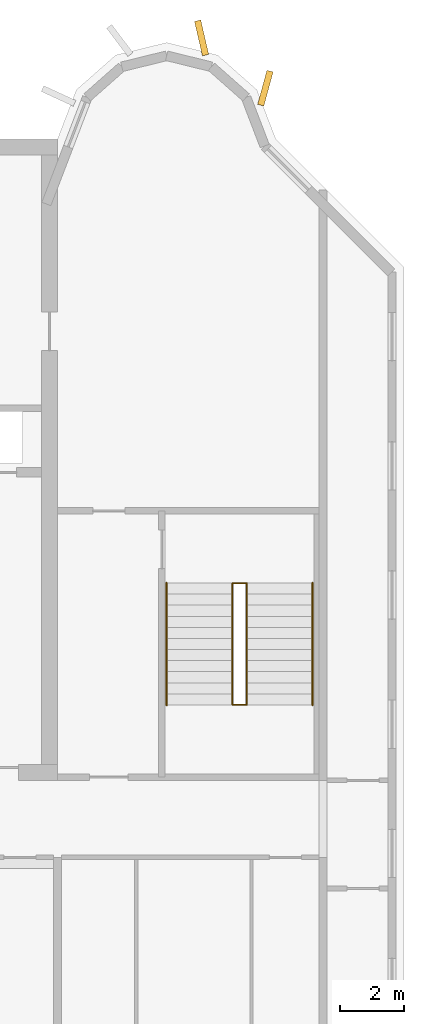
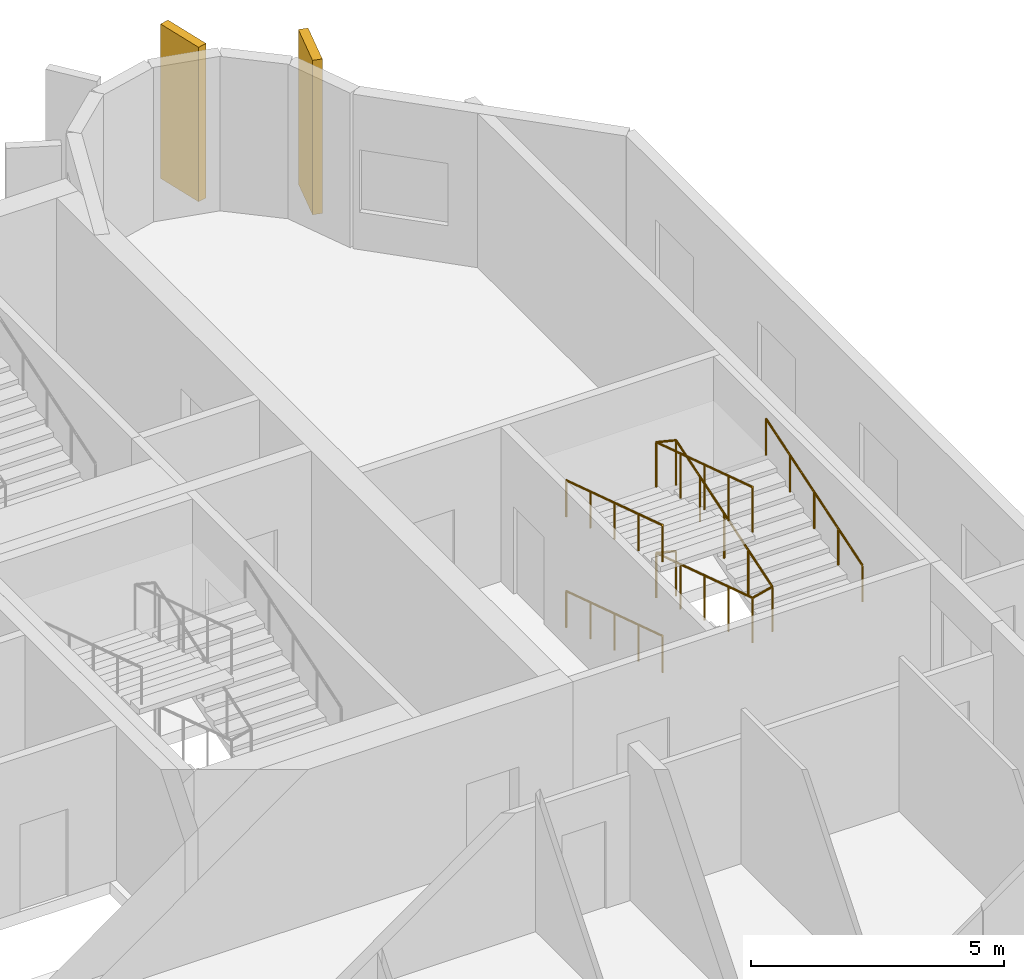
# One storey, part 11 of 12: 4 railings, 2 coverings.
"""IFC4 building model written with IfcOpenShell, lengths in metres."""

from ifc_helpers import new_model, si_unit, direction, frame, origin, origin_2d, place, context, subcontext, project, spatial, rectangle, circle, extrude, source, transform, mapped, material, material_profile, profile_set, type_object, element, save


model = new_model("IFC4")

# Units and contexts
model_context = context("Model", 3, precision=1e-05, world=origin(), true_north=direction((0.0, 1.0)))
body_context = subcontext(model_context, "Body", "Model", "MODEL_VIEW")
ifc_project = project(units=[si_unit("LENGTHUNIT", "METRE"), si_unit("AREAUNIT", "SQUARE_METRE"), si_unit("VOLUMEUNIT", "CUBIC_METRE"), si_unit("PLANEANGLEUNIT", "RADIAN"), si_unit("MASSUNIT", "GRAM", prefix="KILO")], contexts=[model_context])

# Site, building, storey
site_placement = place(None, origin())
site = spatial("IfcSite", under=ifc_project, at=site_placement, CompositionType="ELEMENT")
building_placement = place(site_placement, origin())
building = spatial("IfcBuilding", under=site, at=building_placement, Name="Vanashikhar Sky Hotel", CompositionType="ELEMENT")
storey_placement = place(building_placement, frame((0.0, 0.0, 293.699951171875)))
storey = spatial("IfcBuildingStorey", under=building, at=storey_placement, Name="L70", CompositionType="ELEMENT", Elevation=293.699951171875)

# Coverings
ifc_material_1 = material(Name="Concrete M60 dark", Category="concrete")
ifc_material_profile = material_profile(ifc_material_1, rectangle(XDim=1.10009765625, YDim=0.199951171875, at=origin_2d()))
ifc_profile_set = profile_set([ifc_material_profile], Name="Rear lobe fin 1100 x 200")
covering_type = type_object("IfcCoveringType", Name="Rear lobe fin 1100 x 200", PredefinedType="CLADDING", material=ifc_profile_set)
shared_shape_1 = source(origin(), body_context, "Body", "SweptSolid", [
    extrude(rectangle(XDim=1.10009765625, YDim=0.199951171875, at=origin_2d()), origin(), (0.0, 0.0, 1.0), 3.719970703125),
])
for number, where, z_axis, x_axis, name in (
    (1, (80.08984375, 45.1455078125, 0.0), (0.0, 0.0, 1.0), (-0.224644935864, 0.974440687159, 0.0), "Fin R2-3"),
    (2, (82.0791015625, 43.580078125, 0.0), (0.0, 0.0, 1.0), (0.262711264409, 0.964874495234, 0.0), "Fin R2-4"),
):
    element("IfcCovering", number, at=place(storey_placement, frame(where, z_axis=z_axis, x_axis=x_axis)), inside=storey, type_object=covering_type, Name=name, PredefinedType="CLADDING", context=body_context, shape_type="MappedRepresentation", body=[
        mapped(shared_shape_1, transform((0.0, 0.0, 0.0), scale=1.0)),
    ])

# Railings
ifc_material_2 = material(Name="Steel S355", Category="steel")
railing_type_1 = type_object("IfcRailingType", Name="Stair guard 1100", PredefinedType="GUARDRAIL", material=ifc_material_2)
shared_shape_2 = source(origin(), body_context, "Body", "SweptSolid", [
    extrude(circle(Radius=0.02392578125, at=origin_2d()), frame((0.0, 0.0, 1.076171875), z_axis=(-0.970851010584, 0.0, 0.239683781777), x_axis=(0.0, -1.0, 0.0)), (0.0, 0.0, 1.0), 0.46337890625),
    extrude(circle(Radius=0.02392578125, at=origin_2d()), frame((-0.449951171875, 0.0, 1.18701171875), z_axis=(0.0, -0.951952165375, 0.306246754821), x_axis=(1.0, 0.0, 0.0)), (0.0, 0.0, 1.0), 3.99169921875),
    extrude(circle(Radius=0.02392578125, at=origin_2d()), frame((-0.449951171875, -3.7998046875, 2.40966796875), z_axis=(0.970851010584, 0.0, 0.239683781777), x_axis=(0.0, 1.0, 0.0)), (0.0, 0.0, 1.0), 0.46337890625),
    extrude(circle(Radius=0.02392578125, at=origin_2d()), frame((0.0, -3.7998046875, 2.5205078125), z_axis=(0.0, 0.951969995293, 0.306191325908), x_axis=(-1.0, 0.0, 0.0)), (0.0, 0.0, 1.0), 3.991455078125),
    extrude(circle(Radius=0.02392578125, at=origin_2d()), frame((0.0, 0.0, 3.74267578125), z_axis=(-0.970851010584, 0.0, 0.239683781777), x_axis=(0.0, -1.0, 0.0)), (0.0, 0.0, 1.0), 0.46337890625),
    extrude(circle(Radius=0.02392578125, at=origin_2d()), frame((-0.449951171875, 0.0, 3.85400390625), z_axis=(0.0, -0.951969995293, 0.306191325908), x_axis=(1.0, 0.0, 0.0)), (0.0, 0.0, 1.0), 3.991455078125),
    extrude(circle(Radius=0.02099609375, at=origin_2d()), origin(), (0.0, 0.0, 1.0), 1.052001953125),
    extrude(circle(Radius=0.02099609375, at=origin_2d()), frame((-0.449951171875, 0.0, 0.111083984375)), (0.0, 0.0, 1.0), 1.052001953125),
    extrude(circle(Radius=0.02099609375, at=origin_2d()), frame((-0.449951171875, -0.949951171875, 0.416748046875)), (0.0, 0.0, 1.0), 1.052001953125),
    extrude(circle(Radius=0.02099609375, at=origin_2d()), frame((-0.449951171875, -1.89990234375, 0.72216796875)), (0.0, 0.0, 1.0), 1.052001953125),
    extrude(circle(Radius=0.02099609375, at=origin_2d()), frame((-0.449951171875, -2.849853515625, 1.02783203125)), (0.0, 0.0, 1.0), 1.052001953125),
    extrude(circle(Radius=0.02099609375, at=origin_2d()), frame((-0.449951171875, -3.7998046875, 1.33349609375)), (0.0, 0.0, 1.0), 1.052001953125),
    extrude(circle(Radius=0.02099609375, at=origin_2d()), frame((0.0, -3.7998046875, 1.444580078125)), (0.0, 0.0, 1.0), 1.052001953125),
    extrude(circle(Radius=0.02099609375, at=origin_2d()), frame((0.0, -2.849853515625, 1.75)), (0.0, 0.0, 1.0), 1.052001953125),
    extrude(circle(Radius=0.02099609375, at=origin_2d()), frame((0.0, -1.89990234375, 2.0556640625)), (0.0, 0.0, 1.0), 1.052001953125),
    extrude(circle(Radius=0.02099609375, at=origin_2d()), frame((0.0, -0.949951171875, 2.361328125)), (0.0, 0.0, 1.0), 1.052001953125),
    extrude(circle(Radius=0.02099609375, at=origin_2d()), frame((0.0, 0.0, 2.666748046875)), (0.0, 0.0, 1.0), 1.052001953125),
    extrude(circle(Radius=0.02099609375, at=origin_2d()), frame((-0.449951171875, 0.0, 2.77783203125)), (0.0, 0.0, 1.0), 1.052001953125),
    extrude(circle(Radius=0.02099609375, at=origin_2d()), frame((-0.449951171875, -0.949951171875, 3.08349609375)), (0.0, 0.0, 1.0), 1.052001953125),
    extrude(circle(Radius=0.02099609375, at=origin_2d()), frame((-0.449951171875, -1.89990234375, 3.388916015625)), (0.0, 0.0, 1.0), 1.052001953125),
    extrude(circle(Radius=0.02099609375, at=origin_2d()), frame((-0.449951171875, -2.849853515625, 3.6943359375)), (0.0, 0.0, 1.0), 1.052001953125),
    extrude(circle(Radius=0.02099609375, at=origin_2d()), frame((-0.449951171875, -3.7998046875, 4.0)), (0.0, 0.0, 1.0), 1.052001953125),
])
railing_1_placement = place(storey_placement, frame((81.5, 28.14990234375, 0.0)))
element("IfcRailing", 3, at=railing_1_placement, inside=storey, type_object=railing_type_1, Name="Exit stair 4 guard", PredefinedType="GUARDRAIL", context=body_context, shape_type="MappedRepresentation", body=[
    mapped(shared_shape_2, transform((0.0, 0.0, 0.0), scale=1.0)),
])
railing_type_2 = type_object("IfcRailingType", Name="Stair handrail 900", PredefinedType="HANDRAIL", material=ifc_material_2)
shared_shape_3 = source(origin(), body_context, "Body", "SweptSolid", [
    extrude(circle(Radius=0.02392578125, at=origin_2d()), frame((0.0, 0.0, 0.8759765625), z_axis=(0.0, -0.951952165375, 0.306246754821), x_axis=(1.0, 0.0, 0.0)), (0.0, 0.0, 1.0), 3.99169921875),
    extrude(circle(Radius=0.02099609375, at=origin_2d()), origin(), (0.0, 0.0, 1.0), 0.851806640625),
    extrude(circle(Radius=0.02099609375, at=origin_2d()), frame((0.0, -0.949951171875, 0.3056640625)), (0.0, 0.0, 1.0), 0.851806640625),
    extrude(circle(Radius=0.02099609375, at=origin_2d()), frame((0.0, -1.89990234375, 0.611328125)), (0.0, 0.0, 1.0), 0.851806640625),
    extrude(circle(Radius=0.02099609375, at=origin_2d()), frame((0.0, -2.849853515625, 0.916748046875)), (0.0, 0.0, 1.0), 0.851806640625),
    extrude(circle(Radius=0.02099609375, at=origin_2d()), frame((0.0, -3.7998046875, 1.222412109375)), (0.0, 0.0, 1.0), 0.851806640625),
])
railing_2_placement = place(storey_placement, frame((79.0, 28.14990234375, 0.111083984375)))
element("IfcRailing", 4, at=railing_2_placement, inside=storey, type_object=railing_type_2, Name="Exit stair 4 handrail", PredefinedType="HANDRAIL", context=body_context, shape_type="MappedRepresentation", body=[
    mapped(shared_shape_3, transform((0.0, 0.0, 0.0), scale=1.0)),
])
shared_shape_4 = source(origin(), body_context, "Body", "SweptSolid", [
    extrude(circle(Radius=0.02392578125, at=origin_2d()), frame((0.0, 0.0, 0.8759765625), z_axis=(0.0, 0.951969995293, 0.306191325908), x_axis=(-1.0, 0.0, 0.0)), (0.0, 0.0, 1.0), 3.991455078125),
    extrude(circle(Radius=0.02099609375, at=origin_2d()), origin(), (0.0, 0.0, 1.0), 0.851806640625),
    extrude(circle(Radius=0.02099609375, at=origin_2d()), frame((0.0, 0.949951171875, 0.3056640625)), (0.0, 0.0, 1.0), 0.851806640625),
    extrude(circle(Radius=0.02099609375, at=origin_2d()), frame((0.0, 1.89990234375, 0.611083984375)), (0.0, 0.0, 1.0), 0.851806640625),
    extrude(circle(Radius=0.02099609375, at=origin_2d()), frame((0.0, 2.849853515625, 0.91650390625)), (0.0, 0.0, 1.0), 0.851806640625),
    extrude(circle(Radius=0.02099609375, at=origin_2d()), frame((0.0, 3.7998046875, 1.22216796875)), (0.0, 0.0, 1.0), 0.851806640625),
])
railing_3_placement = place(storey_placement, frame((83.550048828125, 24.35009765625, 1.444580078125)))
element("IfcRailing", 5, at=railing_3_placement, inside=storey, type_object=railing_type_2, Name="Exit stair 4 handrail", PredefinedType="HANDRAIL", context=body_context, shape_type="MappedRepresentation", body=[
    mapped(shared_shape_4, transform((0.0, 0.0, 0.0), scale=1.0)),
])
shared_shape_5 = source(origin(), body_context, "Body", "SweptSolid", [
    extrude(circle(Radius=0.02392578125, at=origin_2d()), frame((0.0, 0.0, 0.8759765625), z_axis=(0.0, -0.951969995293, 0.306191325908), x_axis=(1.0, 0.0, 0.0)), (0.0, 0.0, 1.0), 3.991455078125),
    extrude(circle(Radius=0.02099609375, at=origin_2d()), origin(), (0.0, 0.0, 1.0), 0.851806640625),
    extrude(circle(Radius=0.02099609375, at=origin_2d()), frame((0.0, -0.949951171875, 0.3056640625)), (0.0, 0.0, 1.0), 0.851806640625),
    extrude(circle(Radius=0.02099609375, at=origin_2d()), frame((0.0, -1.89990234375, 0.611083984375)), (0.0, 0.0, 1.0), 0.851806640625),
    extrude(circle(Radius=0.02099609375, at=origin_2d()), frame((0.0, -2.849853515625, 0.91650390625)), (0.0, 0.0, 1.0), 0.851806640625),
    extrude(circle(Radius=0.02099609375, at=origin_2d()), frame((0.0, -3.7998046875, 1.22216796875)), (0.0, 0.0, 1.0), 0.851806640625),
])
railing_4_placement = place(storey_placement, frame((79.0, 28.14990234375, 2.77783203125)))
element("IfcRailing", 6, at=railing_4_placement, inside=storey, type_object=railing_type_2, Name="Exit stair 4 handrail", PredefinedType="HANDRAIL", context=body_context, shape_type="MappedRepresentation", body=[
    mapped(shared_shape_5, transform((0.0, 0.0, 0.0), scale=1.0)),
])

save(model, "model.ifc")
